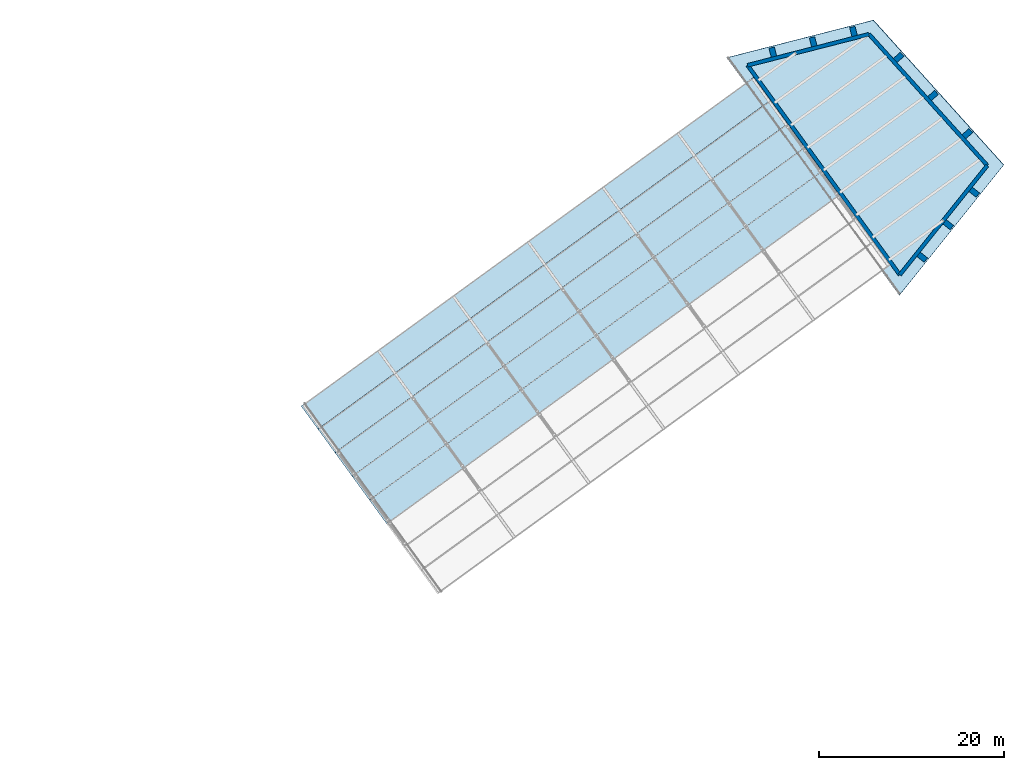
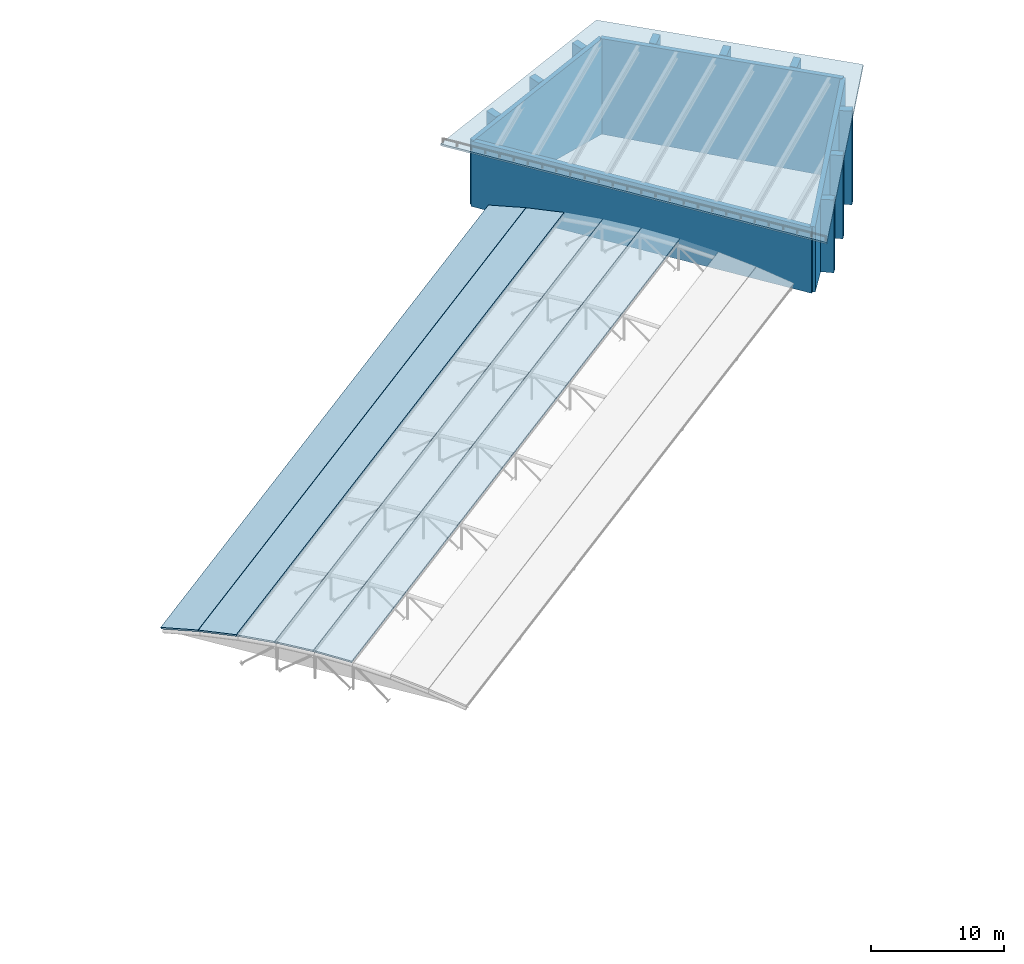
# One storey, part 30 of 41: 13 walls, 6 slabs.
"""IFC4 building model written with IfcOpenShell, lengths in metres."""

from ifc_helpers import new_model, si_unit, direction, frame, origin, place, context, subcontext, project, spatial, polyline, outline, extrude, material, layer, layer_set, type_object, element, save


model = new_model("IFC4")

# Units and contexts
model_context = context("Model", 3, precision=1e-05, world=origin(), true_north=direction((0.0, 1.0)))
body_context = subcontext(model_context, "Body", "Model", "MODEL_VIEW")
ifc_project = project(units=[si_unit("LENGTHUNIT", "METRE"), si_unit("AREAUNIT", "SQUARE_METRE"), si_unit("VOLUMEUNIT", "CUBIC_METRE"), si_unit("PLANEANGLEUNIT", "RADIAN"), si_unit("MASSUNIT", "GRAM", prefix="KILO")], contexts=[model_context])

# Site, building, storey
site_placement = place(None, origin())
site = spatial("IfcSite", under=ifc_project, at=site_placement, CompositionType="ELEMENT")
building_placement = place(site_placement, origin())
building = spatial("IfcBuilding", under=site, at=building_placement, Name="Okhra Congress Centre", CompositionType="ELEMENT")
storey_placement = place(building_placement, frame((0.0, 0.0, 21.60009765625)))
storey = spatial("IfcBuildingStorey", under=building, at=storey_placement, Name="ROOF", CompositionType="ELEMENT", Elevation=21.60009765625)

# Slabs
ifc_material_1 = material(Name="Insulated metal roof panel (mineral wool core), standing seam")
ifc_layer_1 = layer(ifc_material_1, 0.14990234375)
ifc_layer_set_1 = layer_set([ifc_layer_1], Name="Insulated roof panel 150")
slab_type_1 = type_object("IfcSlabType", Name="Insulated roof panel 150", PredefinedType="ROOF", material=ifc_layer_set_1)
for number, where, z_axis, x_axis, name in (
    (1, (215.55224609375, 175.223388671875, 1.90478515625), (0.017080295575, -0.023508922714, 0.999577707863), (0.809015956282, 0.587786681102, 0.0), "Roof panel 9"),
    (2, (213.689208984375, 177.78759765625, 1.99609375), (-0.017080295575, 0.023508922714, 0.999577707863), (0.809015956282, 0.587786681102, 0.0), "Roof panel 10"),
):
    element("IfcSlab", number, at=place(storey_placement, frame(where, z_axis=z_axis, x_axis=x_axis)), inside=storey, type_object=slab_type_1, Name=name, PredefinedType="ROOF", context=body_context, shape_type="SweptSolid", body=[
        extrude(outline(polyline([(0.0, 0.0), (60.600000292731586, 0.0), (60.59997712757339, 3.142215838188306), (-2.316515820077747e-05, 3.1422158381883105), (0.0, 0.0)])), origin(), (0.0, 0.0, -1.0), 0.14990234375),
    ])
slab_1_placement = place(storey_placement, frame((211.826171875, 180.351806640625, 1.903076171875), z_axis=(-0.051241022077, 0.070526954437, 0.996192906196), x_axis=(0.809015956282, 0.587786681102, 0.0)))
element("IfcSlab", 3, at=slab_1_placement, inside=storey, type_object=slab_type_1, Name="Roof panel 11", PredefinedType="ROOF", context=body_context, shape_type="SweptSolid", body=[
    extrude(outline(polyline([(0.0, 0.0), (60.600000292731586, -3.552713678800501e-15), (60.60008989149544, 3.142207538054408), (8.959876385450372e-05, 3.1422075380544134), (0.0, 0.0)])), origin(), (0.0, 0.0, -1.0), 0.14990234375),
])
slab_2_placement = place(storey_placement, frame((209.969482421875, 182.9072265625, 1.6259765625), z_axis=(-0.085216535939, 0.117290063777, 0.989434779529), x_axis=(0.809015956282, 0.587786681102, 0.0)))
element("IfcSlab", 4, at=slab_2_placement, inside=storey, type_object=slab_type_1, Name="Roof panel 12", PredefinedType="ROOF", context=body_context, shape_type="SweptSolid", body=[
    extrude(outline(polyline([(0.0, 0.0), (60.600000292731586, -3.552713678800501e-15), (60.60011790567835, 3.1422993554031686), (0.00011761294676371215, 3.142299355403171), (0.0, 0.0)])), origin(), (0.0, 0.0, -1.0), 0.14990234375),
])
slab_3_placement = place(storey_placement, frame((208.12548828125, 185.445556640625, 1.16552734375), z_axis=(-0.118873996584, 0.163615972762, 0.979335890486), x_axis=(0.809017832877, 0.587784098191, 3.22772e-07)))
element("IfcSlab", 5, at=slab_3_placement, inside=storey, type_object=slab_type_1, Name="Roof panel 13", PredefinedType="ROOF", context=body_context, shape_type="SweptSolid", body=[
    extrude(outline(polyline([(0.0, 0.0), (60.59985679044249, -3.552713678800501e-15), (60.599907637462245, 3.142385700467351), (-9.265495734510376e-05, 3.1421922677920233), (0.0, 0.0)])), origin(), (0.0, 0.0, -1.0), 0.14990234375),
])
ifc_layer_2 = layer(ifc_material_1, 0.199951171875)
ifc_layer_set_2 = layer_set([ifc_layer_2], Name="Insulated roof panel 200")
slab_type_2 = type_object("IfcSlabType", Name="Insulated roof panel 200", PredefinedType="ROOF", material=ifc_layer_set_2)
slab_4_placement = place(storey_placement, frame((282.264892578125, 213.99755859375, 9.721435546875), z_axis=(-0.17372325628, -0.126218271832, 0.976672502983), x_axis=(-0.669069609572, 0.742843476492, -0.023009280326)))
element("IfcSlab", 6, at=slab_4_placement, inside=storey, type_object=slab_type_2, Name="Stage house roof panel", PredefinedType="ROOF", context=body_context, shape_type="SweptSolid", body=[
    extrude(outline(polyline([(0.0, 0.0), (21.0738135128061, 6.245004513516506e-16), (28.742132813379698, 14.834018991507385), (-2.832821340383495, 18.237081227900642), (0.0, 0.0)])), origin(), (0.0, 0.0, -1.0), 0.199951171875),
])

# Walls
ifc_material_2 = material(Name="Concrete C30/37", Category="concrete")
ifc_layer_3 = layer(ifc_material_2, 0.39990234375)
ifc_layer_set_3 = layer_set([ifc_layer_3], Name="RC wall 400 REI 120 C30/37")
wall_type_1 = type_object("IfcWallType", Name="RC wall 400 REI 120 C30/37", PredefinedType="SOLIDWALL", material=ifc_layer_set_3)
wall_1_placement = place(storey_placement, frame((271.033935546875, 202.12841796875, 0.0), z_axis=(0.0, 0.0, 1.0), x_axis=(-0.587787980643, 0.809015012105, 0.0)))
element("IfcWall", 7, at=wall_1_placement, inside=storey, type_object=wall_type_1, Name="Stage house wall W ROOF", PredefinedType="SOLIDWALL", context=body_context, shape_type="SweptSolid", body=[
    extrude(outline(polyline([(0.0, 0.0), (28.0, 0.0), (28.0, 5.98779296875), (0.0, 5.98779296875), (0.0, 0.0)])), frame((0.0, 0.199951171875, 0.0), z_axis=(0.0, -1.0, 0.0), x_axis=(1.0, 0.0, 0.0)), (0.0, 0.0, 1.0), 0.39990234375),
])
wall_2_placement = place(storey_placement, frame((280.494384765625, 213.946044921875, 0.0), z_axis=(0.0, 0.0, 1.0), x_axis=(-0.66924426707, 0.743042469173, 0.0)))
element("IfcWall", 8, at=wall_2_placement, inside=storey, type_object=wall_type_1, Name="Stage house wall E ROOF", PredefinedType="SOLIDWALL", context=body_context, shape_type="SweptSolid", body=[
    extrude(outline(polyline([(0.0, 0.0), (19.10498046875, 0.0), (19.10498046875, 8.758056640625), (0.0, 9.197998046875), (0.0, 0.0)])), frame((0.0, 0.199951171875, 0.0), z_axis=(0.0, -1.0, 0.0), x_axis=(1.0, 0.0, 0.0)), (0.0, 0.0, 1.0), 0.39990234375),
])
wall_3_placement = place(storey_placement, frame((271.033935546875, 202.12841796875, 0.0), z_axis=(0.0, 0.0, 1.0), x_axis=(0.624950698066, 0.780664220384, 0.0)))
element("IfcWall", 9, at=wall_3_placement, inside=storey, type_object=wall_type_1, Name="Stage house wall S ROOF", PredefinedType="SOLIDWALL", context=body_context, shape_type="SweptSolid", body=[
    extrude(outline(polyline([(0.0, 0.0), (15.137939453125, 0.0), (15.137939453125, 9.197998046875), (0.0, 5.98779296875), (0.0, 0.0)])), frame((0.0, 0.199951171875, 0.0), z_axis=(0.0, -1.0, 0.0), x_axis=(1.0, 0.0, 0.0)), (0.0, 0.0, 1.0), 0.39990234375),
])
wall_4_placement = place(storey_placement, frame((254.575927734375, 224.78076171875, 0.0), z_axis=(0.0, 0.0, 1.0), x_axis=(0.968774540498, 0.247943319496, 0.0)))
element("IfcWall", 10, at=wall_4_placement, inside=storey, type_object=wall_type_1, Name="Stage house wall N ROOF", PredefinedType="SOLIDWALL", context=body_context, shape_type="SweptSolid", body=[
    extrude(outline(polyline([(0.0, 0.0), (13.555908203125, 0.0), (13.555908203125, 8.758056640625), (0.0, 5.98779296875), (0.0, 0.0)])), frame((0.0, 0.199951171875, 0.0), z_axis=(0.0, -1.0, 0.0), x_axis=(1.0, 0.0, 0.0)), (0.0, 0.0, 1.0), 0.39990234375),
])
ifc_material_3 = material(Name="Concrete C35/45", Category="concrete")
ifc_layer_4 = layer(ifc_material_3, 0.60009765625)
ifc_layer_set_4 = layer_set([ifc_layer_4], Name="Stage house fin 600 R 120 C35/45")
wall_type_2 = type_object("IfcWallType", Name="Stage house fin 600 R 120 C35/45", PredefinedType="SOLIDWALL", material=ifc_layer_set_4)
wall_5_placement = place(storey_placement, frame((277.966064453125, 217.052001953125, 0.0), z_axis=(0.0, 0.0, 1.0), x_axis=(0.742893420828, 0.669409714069, 0.0)))
element("IfcWall", 11, at=wall_5_placement, inside=storey, type_object=wall_type_2, Name="Stage house fin E1 ROOF", PredefinedType="SOLIDWALL", context=body_context, shape_type="SweptSolid", body=[
    extrude(outline(polyline([(0.0, 0.0), (1.0, 0.0), (1.0, 9.3681640625), (0.0, 9.149658203125), (0.0, 0.0)])), frame((0.0, 0.300048828125, 0.0), z_axis=(0.0, -1.0, 0.0), x_axis=(1.0, 0.0, 0.0)), (0.0, 0.0, 1.0), 0.60009765625),
])
wall_6_placement = place(storey_placement, frame((274.251708984375, 221.176025390625, 0.0), z_axis=(0.0, 0.0, 1.0), x_axis=(0.743124177136, 0.669153537953, 0.0)))
element("IfcWall", 12, at=wall_6_placement, inside=storey, type_object=wall_type_2, Name="Stage house fin E2 ROOF", PredefinedType="SOLIDWALL", context=body_context, shape_type="SweptSolid", body=[
    extrude(outline(polyline([(0.0, 0.0), (1.0, 0.0), (1.0, 9.240478515625), (0.0, 9.021728515625), (0.0, 0.0)])), frame((0.0, 0.300048828125, 0.0), z_axis=(0.0, -1.0, 0.0), x_axis=(1.0, 0.0, 0.0)), (0.0, 0.0, 1.0), 0.60009765625),
])
wall_7_placement = place(storey_placement, frame((270.537353515625, 225.2998046875, 0.0), z_axis=(0.0, 0.0, 1.0), x_axis=(0.743124177136, 0.669153537953, 0.0)))
element("IfcWall", 13, at=wall_7_placement, inside=storey, type_object=wall_type_2, Name="Stage house fin E3 ROOF", PredefinedType="SOLIDWALL", context=body_context, shape_type="SweptSolid", body=[
    extrude(outline(polyline([(0.0, 0.0), (1.0, 0.0), (1.0, 9.11279296875), (0.0, 8.89404296875), (0.0, 0.0)])), frame((0.0, 0.300048828125, 0.0), z_axis=(0.0, -1.0, 0.0), x_axis=(1.0, 0.0, 0.0)), (0.0, 0.0, 1.0), 0.60009765625),
])
wall_8_placement = place(storey_placement, frame((273.06494140625, 204.345458984375, 0.0), z_axis=(0.0, 0.0, 1.0), x_axis=(0.78058288061, -0.625052291011, 0.0)))
element("IfcWall", 14, at=wall_8_placement, inside=storey, type_object=wall_type_2, Name="Stage house fin S1 ROOF", PredefinedType="SOLIDWALL", context=body_context, shape_type="SweptSolid", body=[
    extrude(outline(polyline([(0.0, 0.0), (1.0, 0.0), (1.0, 6.69384765625), (0.0, 6.6357421875), (0.0, 0.0)])), frame((0.0, 0.300048828125, 0.0), z_axis=(0.0, -1.0, 0.0), x_axis=(1.0, 0.0, 0.0)), (0.0, 0.0, 1.0), 0.60009765625),
])
wall_9_placement = place(storey_placement, frame((275.877197265625, 207.8583984375, 0.0), z_axis=(0.0, 0.0, 1.0), x_axis=(0.78058288061, -0.625052291011, 0.0)))
element("IfcWall", 15, at=wall_9_placement, inside=storey, type_object=wall_type_2, Name="Stage house fin S2 ROOF", PredefinedType="SOLIDWALL", context=body_context, shape_type="SweptSolid", body=[
    extrude(outline(polyline([(0.0, 0.0), (1.0, 0.0), (1.0, 7.64794921875), (0.0, 7.58984375), (0.0, 0.0)])), frame((0.0, 0.300048828125, 0.0), z_axis=(0.0, -1.0, 0.0), x_axis=(1.0, 0.0, 0.0)), (0.0, 0.0, 1.0), 0.60009765625),
])
wall_10_placement = place(storey_placement, frame((278.689453125, 211.371337890625, 0.0), z_axis=(0.0, 0.0, 1.0), x_axis=(0.780678244716, -0.62493317901, 0.0)))
element("IfcWall", 16, at=wall_10_placement, inside=storey, type_object=wall_type_2, Name="Stage house fin S3 ROOF", PredefinedType="SOLIDWALL", context=body_context, shape_type="SweptSolid", body=[
    extrude(outline(polyline([(0.0, 0.0), (1.0, 0.0), (1.0, 8.602294921875), (0.0, 8.544189453125), (0.0, 0.0)])), frame((0.0, 0.300048828125, 0.0), z_axis=(0.0, -1.0, 0.0), x_axis=(1.0, 0.0, 0.0)), (0.0, 0.0, 1.0), 0.60009765625),
])
wall_11_placement = place(storey_placement, frame((257.4326171875, 225.71826171875, 0.0), z_axis=(0.0, 0.0, 1.0), x_axis=(-0.247758657109, 0.968821783316, 0.0)))
element("IfcWall", 17, at=wall_11_placement, inside=storey, type_object=wall_type_2, Name="Stage house fin N1 ROOF", PredefinedType="SOLIDWALL", context=body_context, shape_type="SweptSolid", body=[
    extrude(outline(polyline([(0.0, 0.0), (1.000244140625, 0.0), (1.0, 6.6982421875), (0.0, 6.6171875), (0.0, 0.0)])), frame((0.0, 0.300048828125, 0.0), z_axis=(0.0, -1.0, 0.0), x_axis=(1.0, 0.0, 0.0)), (0.0, 0.0, 1.0), 0.60009765625),
])
wall_12_placement = place(storey_placement, frame((261.792236328125, 226.833984375, 0.0), z_axis=(0.0, 0.0, 1.0), x_axis=(-0.247987749771, 0.96876316815, 0.0)))
element("IfcWall", 18, at=wall_12_placement, inside=storey, type_object=wall_type_2, Name="Stage house fin N2 ROOF", PredefinedType="SOLIDWALL", context=body_context, shape_type="SweptSolid", body=[
    extrude(outline(polyline([(0.0, 0.0), (1.000244140625, 0.0), (1.0, 7.617919921875), (0.0, 7.536865234375), (0.0, 0.0)])), frame((0.0, 0.300048828125, 0.0), z_axis=(0.0, -1.0, 0.0), x_axis=(1.0, 0.0, 0.0)), (0.0, 0.0, 1.0), 0.60009765625),
])
wall_13_placement = place(storey_placement, frame((266.151611328125, 227.94970703125, 0.0), z_axis=(0.0, 0.0, 1.0), x_axis=(-0.247758657109, 0.968821783316, 0.0)))
element("IfcWall", 19, at=wall_13_placement, inside=storey, type_object=wall_type_2, Name="Stage house fin N3 ROOF", PredefinedType="SOLIDWALL", context=body_context, shape_type="SweptSolid", body=[
    extrude(outline(polyline([(0.0, 0.0), (1.000244140625, 0.0), (1.0, 8.53759765625), (0.0, 8.45654296875), (0.0, 0.0)])), frame((0.0, 0.300048828125, 0.0), z_axis=(0.0, -1.0, 0.0), x_axis=(1.0, 0.0, 0.0)), (0.0, 0.0, 1.0), 0.60009765625),
])

save(model, "model.ifc")
